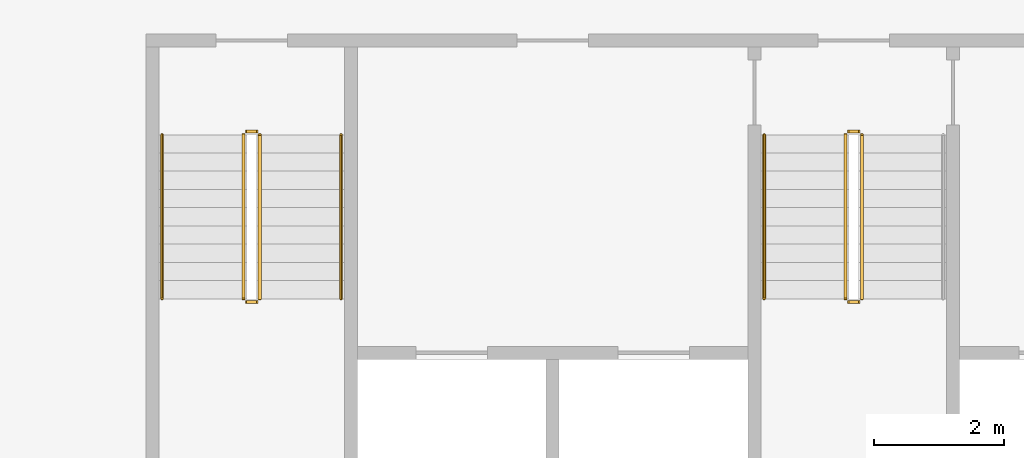
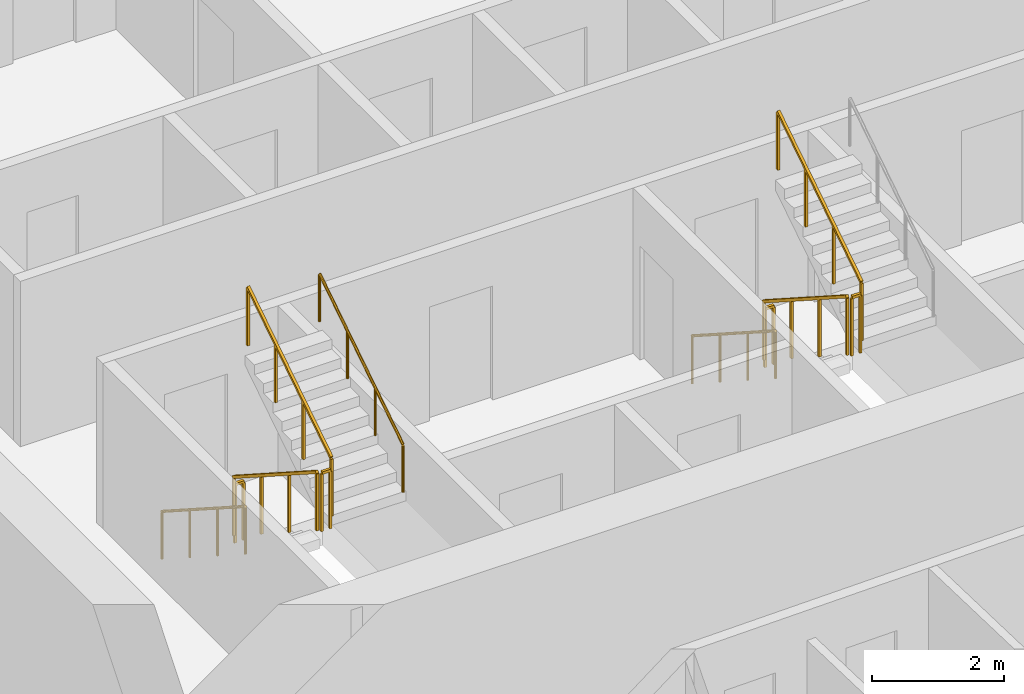
# One storey, part 15 of 17: 11 railings.
"""IFC4 building model written with IfcOpenShell, lengths in metres."""

from ifc_helpers import new_model, si_unit, direction, frame, origin, origin_2d, place, context, subcontext, project, spatial, rectangle, circle, extrude, material, type_object, element, save


model = new_model("IFC4")

# Units and contexts
model_context = context("Model", 3, precision=1e-05, world=origin(), true_north=direction((0.0, 1.0)))
body_context = subcontext(model_context, "Body", "Model", "MODEL_VIEW")
ifc_project = project(units=[si_unit("LENGTHUNIT", "METRE"), si_unit("AREAUNIT", "SQUARE_METRE"), si_unit("VOLUMEUNIT", "CUBIC_METRE"), si_unit("PLANEANGLEUNIT", "RADIAN"), si_unit("MASSUNIT", "GRAM", prefix="KILO")], contexts=[model_context])

# Site, building, storey
site_placement = place(None, origin())
site = spatial("IfcSite", under=ifc_project, at=site_placement, CompositionType="ELEMENT")
building_placement = place(site_placement, origin())
building = spatial("IfcBuilding", under=site, at=building_placement, Name="Mangrove Gate Tower", CompositionType="ELEMENT")
storey_placement = place(building_placement, frame((0.0, 0.0, 234.699951171875)))
storey = spatial("IfcBuildingStorey", under=building, at=storey_placement, Name="L59", CompositionType="ELEMENT", Elevation=234.699951171875)

# Railings
ifc_material_1 = material(Name="Stainless steel 316", Category="steel")
railing_type_1 = type_object("IfcRailingType", Name="Core stair guard 1100", PredefinedType="GUARDRAIL", material=ifc_material_1)
railing_1_placement = place(storey_placement, frame((-9.39990234375, -4.64990234375, 0.179931640625)))
element("IfcRailing", 1, at=railing_1_placement, inside=storey, type_object=railing_type_1, Name="L59 ST1 stair guard 1", PredefinedType="GUARDRAIL", context=body_context, shape_type="SweptSolid", body=[
    extrude(rectangle(XDim=0.048095703125, YDim=0.048095703125, at=origin_2d()), frame((0.0, 0.0, 1.076171875), z_axis=(0.0, -0.841162588446, 0.540782303519), x_axis=(1.0, 0.0, 0.0)), (0.0, 0.0, 1.0), 2.995849609375),
    extrude(rectangle(XDim=0.0419921875, YDim=0.0419921875, at=origin_2d()), origin(), (0.0, 0.0, 1.0), 1.052001953125),
    extrude(rectangle(XDim=0.0419921875, YDim=0.0419921875, at=origin_2d()), frame((0.0, -0.840087890625, 0.5400390625)), (0.0, 0.0, 1.0), 1.052001953125),
    extrude(rectangle(XDim=0.0419921875, YDim=0.0419921875, at=origin_2d()), frame((0.0, -1.679931640625, 1.080078125)), (0.0, 0.0, 1.0), 1.052001953125),
    extrude(rectangle(XDim=0.0419921875, YDim=0.0419921875, at=origin_2d()), frame((0.0, -2.52001953125, 1.6201171875)), (0.0, 0.0, 1.0), 1.052001953125),
])
railing_2_placement = place(storey_placement, frame((-9.35009765625, -7.219970703125, 1.800048828125)))
element("IfcRailing", 2, at=railing_2_placement, inside=storey, type_object=railing_type_1, Name="L59 ST1 stair guard 2", PredefinedType="GUARDRAIL", context=body_context, shape_type="SweptSolid", body=[
    extrude(rectangle(XDim=0.048095703125, YDim=0.048095703125, at=origin_2d()), frame((0.0, 0.0, 1.076171875), z_axis=(1.0, 0.0, 0.0), x_axis=(0.0, 1.0, 0.0)), (0.0, 0.0, 1.0), 0.150146484375),
    extrude(rectangle(XDim=0.0419921875, YDim=0.0419921875, at=origin_2d()), origin(), (0.0, 0.0, 1.0), 1.052001953125),
    extrude(rectangle(XDim=0.0419921875, YDim=0.0419921875, at=origin_2d()), frame((0.150146484375, 0.0, 0.0)), (0.0, 0.0, 1.0), 1.052001953125),
])
railing_3_placement = place(storey_placement, frame((-9.14990234375, -7.169921875, 1.97998046875)))
element("IfcRailing", 3, at=railing_3_placement, inside=storey, type_object=railing_type_1, Name="L59 ST1 stair guard 3", PredefinedType="GUARDRAIL", context=body_context, shape_type="SweptSolid", body=[
    extrude(rectangle(XDim=0.048095703125, YDim=0.048095703125, at=origin_2d()), frame((0.0, 0.0, 1.076171875), z_axis=(0.0, 0.841162588446, 0.540782303519), x_axis=(-1.0, 0.0, 0.0)), (0.0, 0.0, 1.0), 2.995849609375),
    extrude(rectangle(XDim=0.0419921875, YDim=0.0419921875, at=origin_2d()), origin(), (0.0, 0.0, 1.0), 1.052001953125),
    extrude(rectangle(XDim=0.0419921875, YDim=0.0419921875, at=origin_2d()), frame((0.0, 0.840087890625, 0.5400390625)), (0.0, 0.0, 1.0), 1.052001953125),
    extrude(rectangle(XDim=0.0419921875, YDim=0.0419921875, at=origin_2d()), frame((0.0, 1.679931640625, 1.080078125)), (0.0, 0.0, 1.0), 1.052001953125),
    extrude(rectangle(XDim=0.0419921875, YDim=0.0419921875, at=origin_2d()), frame((0.0, 2.52001953125, 1.6201171875)), (0.0, 0.0, 1.0), 1.052001953125),
])
railing_4_placement = place(storey_placement, frame((-9.35009765625, -4.60009765625, 0.0)))
element("IfcRailing", 4, at=railing_4_placement, inside=storey, type_object=railing_type_1, Name="L59 ST1 stair guard 4", PredefinedType="GUARDRAIL", context=body_context, shape_type="SweptSolid", body=[
    extrude(rectangle(XDim=0.048095703125, YDim=0.048095703125, at=origin_2d()), frame((0.0, 0.0, 1.076171875), z_axis=(1.0, 0.0, 0.0), x_axis=(0.0, 1.0, 0.0)), (0.0, 0.0, 1.0), 0.150146484375),
    extrude(rectangle(XDim=0.0419921875, YDim=0.0419921875, at=origin_2d()), origin(), (0.0, 0.0, 1.0), 1.052001953125),
    extrude(rectangle(XDim=0.0419921875, YDim=0.0419921875, at=origin_2d()), frame((0.150146484375, 0.0, 0.0)), (0.0, 0.0, 1.0), 1.052001953125),
])
railing_5_placement = place(storey_placement, frame((-0.14990234375, -4.64990234375, 0.179931640625)))
element("IfcRailing", 5, at=railing_5_placement, inside=storey, type_object=railing_type_1, Name="L59 ST2 stair guard 1", PredefinedType="GUARDRAIL", context=body_context, shape_type="SweptSolid", body=[
    extrude(rectangle(XDim=0.048095703125, YDim=0.048095703125, at=origin_2d()), frame((0.0, 0.0, 1.076171875), z_axis=(0.0, -0.841162588446, 0.540782303519), x_axis=(1.0, 0.0, 0.0)), (0.0, 0.0, 1.0), 2.995849609375),
    extrude(rectangle(XDim=0.0419921875, YDim=0.0419921875, at=origin_2d()), origin(), (0.0, 0.0, 1.0), 1.052001953125),
    extrude(rectangle(XDim=0.0419921875, YDim=0.0419921875, at=origin_2d()), frame((0.0, -0.840087890625, 0.5400390625)), (0.0, 0.0, 1.0), 1.052001953125),
    extrude(rectangle(XDim=0.0419921875, YDim=0.0419921875, at=origin_2d()), frame((0.0, -1.679931640625, 1.080078125)), (0.0, 0.0, 1.0), 1.052001953125),
    extrude(rectangle(XDim=0.0419921875, YDim=0.0419921875, at=origin_2d()), frame((0.0, -2.52001953125, 1.6201171875)), (0.0, 0.0, 1.0), 1.052001953125),
])
railing_6_placement = place(storey_placement, frame((-0.10009765625, -7.219970703125, 1.800048828125)))
element("IfcRailing", 6, at=railing_6_placement, inside=storey, type_object=railing_type_1, Name="L59 ST2 stair guard 2", PredefinedType="GUARDRAIL", context=body_context, shape_type="SweptSolid", body=[
    extrude(rectangle(XDim=0.048095703125, YDim=0.048095703125, at=origin_2d()), frame((0.0, 0.0, 1.076171875), z_axis=(1.0, 0.0, 0.0), x_axis=(0.0, 1.0, 0.0)), (0.0, 0.0, 1.0), 0.150146484375),
    extrude(rectangle(XDim=0.0419921875, YDim=0.0419921875, at=origin_2d()), origin(), (0.0, 0.0, 1.0), 1.052001953125),
    extrude(rectangle(XDim=0.0419921875, YDim=0.0419921875, at=origin_2d()), frame((0.150146484375, 0.0, 0.0)), (0.0, 0.0, 1.0), 1.052001953125),
])
railing_7_placement = place(storey_placement, frame((0.10009765625, -7.169921875, 1.97998046875)))
element("IfcRailing", 7, at=railing_7_placement, inside=storey, type_object=railing_type_1, Name="L59 ST2 stair guard 3", PredefinedType="GUARDRAIL", context=body_context, shape_type="SweptSolid", body=[
    extrude(rectangle(XDim=0.048095703125, YDim=0.048095703125, at=origin_2d()), frame((0.0, 0.0, 1.076171875), z_axis=(0.0, 0.841162588446, 0.540782303519), x_axis=(-1.0, 0.0, 0.0)), (0.0, 0.0, 1.0), 2.995849609375),
    extrude(rectangle(XDim=0.0419921875, YDim=0.0419921875, at=origin_2d()), origin(), (0.0, 0.0, 1.0), 1.052001953125),
    extrude(rectangle(XDim=0.0419921875, YDim=0.0419921875, at=origin_2d()), frame((0.0, 0.840087890625, 0.5400390625)), (0.0, 0.0, 1.0), 1.052001953125),
    extrude(rectangle(XDim=0.0419921875, YDim=0.0419921875, at=origin_2d()), frame((0.0, 1.679931640625, 1.080078125)), (0.0, 0.0, 1.0), 1.052001953125),
    extrude(rectangle(XDim=0.0419921875, YDim=0.0419921875, at=origin_2d()), frame((0.0, 2.52001953125, 1.6201171875)), (0.0, 0.0, 1.0), 1.052001953125),
])
railing_8_placement = place(storey_placement, frame((-0.10009765625, -4.60009765625, 0.0)))
element("IfcRailing", 8, at=railing_8_placement, inside=storey, type_object=railing_type_1, Name="L59 ST2 stair guard 4", PredefinedType="GUARDRAIL", context=body_context, shape_type="SweptSolid", body=[
    extrude(rectangle(XDim=0.048095703125, YDim=0.048095703125, at=origin_2d()), frame((0.0, 0.0, 1.076171875), z_axis=(1.0, 0.0, 0.0), x_axis=(0.0, 1.0, 0.0)), (0.0, 0.0, 1.0), 0.150146484375),
    extrude(rectangle(XDim=0.0419921875, YDim=0.0419921875, at=origin_2d()), origin(), (0.0, 0.0, 1.0), 1.052001953125),
    extrude(rectangle(XDim=0.0419921875, YDim=0.0419921875, at=origin_2d()), frame((0.150146484375, 0.0, 0.0)), (0.0, 0.0, 1.0), 1.052001953125),
])
ifc_material_2 = material(Name="Stainless steel 316", Category="steel")
railing_type_2 = type_object("IfcRailingType", Name="Core stair handrail 900", PredefinedType="HANDRAIL", material=ifc_material_2)
railing_9_placement = place(storey_placement, frame((-10.64990234375, -4.64990234375, 0.179931640625)))
element("IfcRailing", 9, at=railing_9_placement, inside=storey, type_object=railing_type_2, Name="L59 ST1 stair handrail 1", PredefinedType="HANDRAIL", context=body_context, shape_type="SweptSolid", body=[
    extrude(circle(Radius=0.02392578125, at=origin_2d()), frame((0.0, 0.0, 0.8759765625), z_axis=(0.0, -0.841162588446, 0.540782303519), x_axis=(1.0, 0.0, 0.0)), (0.0, 0.0, 1.0), 2.995849609375),
    extrude(circle(Radius=0.02099609375, at=origin_2d()), origin(), (0.0, 0.0, 1.0), 0.851806640625),
    extrude(circle(Radius=0.02099609375, at=origin_2d()), frame((0.0, -0.840087890625, 0.5400390625)), (0.0, 0.0, 1.0), 0.851806640625),
    extrude(circle(Radius=0.02099609375, at=origin_2d()), frame((0.0, -1.679931640625, 1.080078125)), (0.0, 0.0, 1.0), 0.851806640625),
    extrude(circle(Radius=0.02099609375, at=origin_2d()), frame((0.0, -2.52001953125, 1.6201171875)), (0.0, 0.0, 1.0), 0.851806640625),
])
railing_10_placement = place(storey_placement, frame((-7.89990234375, -7.169921875, 1.97998046875)))
element("IfcRailing", 10, at=railing_10_placement, inside=storey, type_object=railing_type_2, Name="L59 ST1 stair handrail 2", PredefinedType="HANDRAIL", context=body_context, shape_type="SweptSolid", body=[
    extrude(circle(Radius=0.02392578125, at=origin_2d()), frame((0.0, 0.0, 0.8759765625), z_axis=(0.0, 0.841162588446, 0.540782303519), x_axis=(-1.0, 0.0, 0.0)), (0.0, 0.0, 1.0), 2.995849609375),
    extrude(circle(Radius=0.02099609375, at=origin_2d()), origin(), (0.0, 0.0, 1.0), 0.851806640625),
    extrude(circle(Radius=0.02099609375, at=origin_2d()), frame((0.0, 0.840087890625, 0.5400390625)), (0.0, 0.0, 1.0), 0.851806640625),
    extrude(circle(Radius=0.02099609375, at=origin_2d()), frame((0.0, 1.679931640625, 1.080078125)), (0.0, 0.0, 1.0), 0.851806640625),
    extrude(circle(Radius=0.02099609375, at=origin_2d()), frame((0.0, 2.52001953125, 1.6201171875)), (0.0, 0.0, 1.0), 0.851806640625),
])
railing_11_placement = place(storey_placement, frame((-1.39990234375, -4.64990234375, 0.179931640625)))
element("IfcRailing", 11, at=railing_11_placement, inside=storey, type_object=railing_type_2, Name="L59 ST2 stair handrail 1", PredefinedType="HANDRAIL", context=body_context, shape_type="SweptSolid", body=[
    extrude(circle(Radius=0.02392578125, at=origin_2d()), frame((0.0, 0.0, 0.8759765625), z_axis=(0.0, -0.841162588446, 0.540782303519), x_axis=(1.0, 0.0, 0.0)), (0.0, 0.0, 1.0), 2.995849609375),
    extrude(circle(Radius=0.02099609375, at=origin_2d()), origin(), (0.0, 0.0, 1.0), 0.851806640625),
    extrude(circle(Radius=0.02099609375, at=origin_2d()), frame((0.0, -0.840087890625, 0.5400390625)), (0.0, 0.0, 1.0), 0.851806640625),
    extrude(circle(Radius=0.02099609375, at=origin_2d()), frame((0.0, -1.679931640625, 1.080078125)), (0.0, 0.0, 1.0), 0.851806640625),
    extrude(circle(Radius=0.02099609375, at=origin_2d()), frame((0.0, -2.52001953125, 1.6201171875)), (0.0, 0.0, 1.0), 0.851806640625),
])

save(model, "model.ifc")
